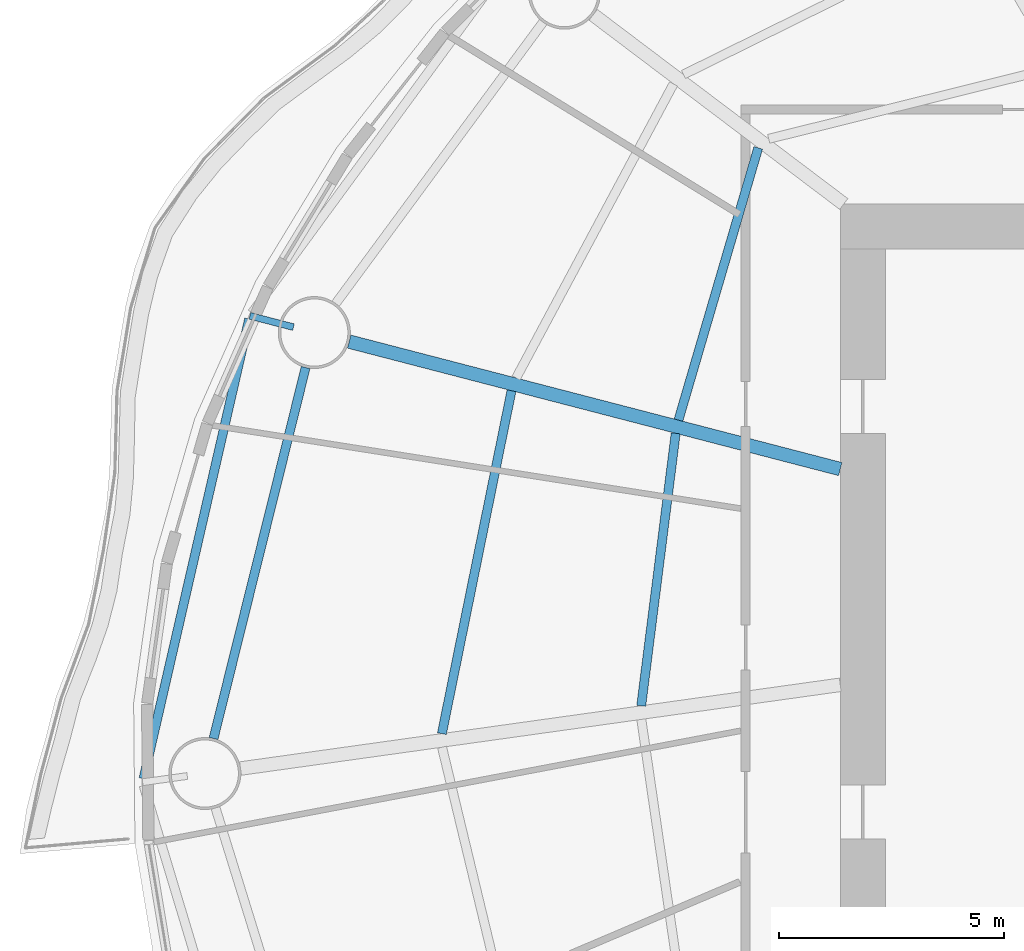
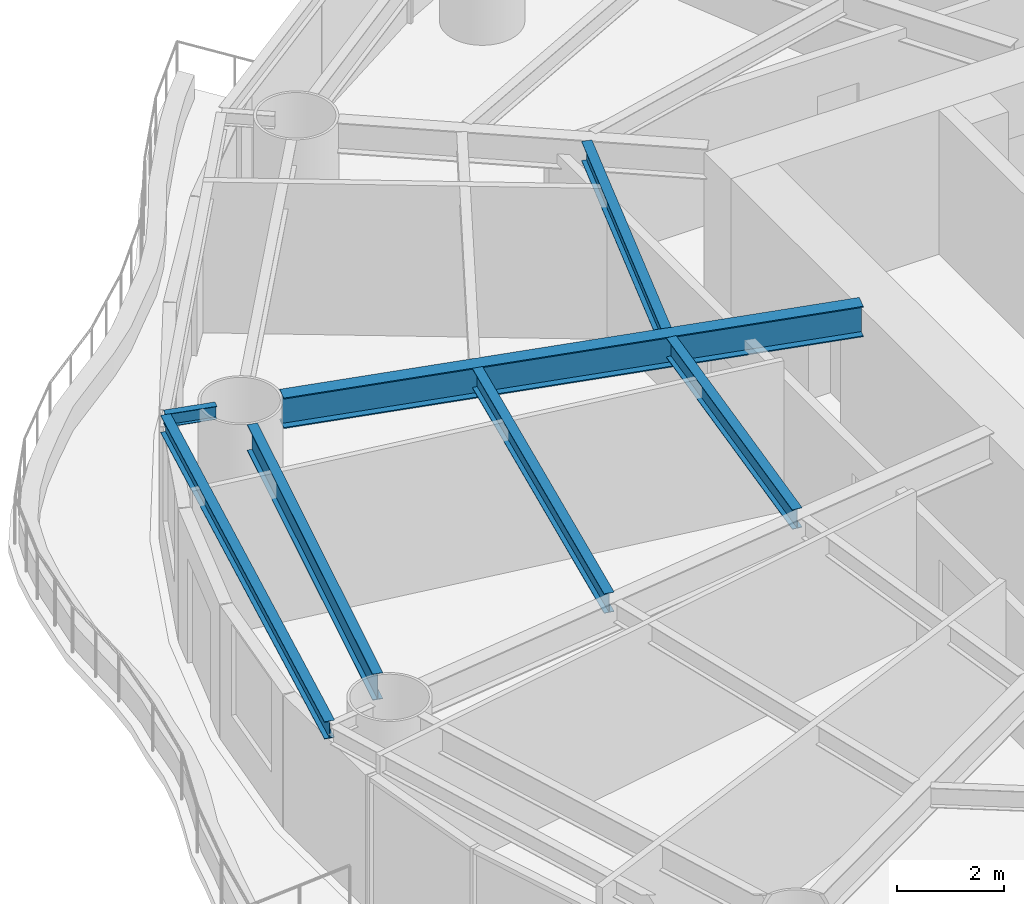
# One storey, part 3 of 14: 7 beams.
"""IFC4 building model written with IfcOpenShell, lengths in metres."""

from ifc_helpers import new_model, si_unit, direction, frame, origin, origin_2d, place, context, subcontext, project, spatial, i_section, extrude, material, material_profile, profile_set, type_object, element, save


model = new_model("IFC4")

# Units and contexts
model_context = context("Model", 3, precision=1e-05, world=origin(), true_north=direction((0.0, 1.0)))
body_context = subcontext(model_context, "Body", "Model", "MODEL_VIEW")
ifc_project = project(units=[si_unit("LENGTHUNIT", "METRE"), si_unit("AREAUNIT", "SQUARE_METRE"), si_unit("VOLUMEUNIT", "CUBIC_METRE"), si_unit("PLANEANGLEUNIT", "RADIAN"), si_unit("MASSUNIT", "GRAM", prefix="KILO")], contexts=[model_context])

# Site, building, storey
site_placement = place(None, origin())
site = spatial("IfcSite", under=ifc_project, at=site_placement, CompositionType="ELEMENT")
building_placement = place(site_placement, origin())
building = spatial("IfcBuilding", under=site, at=building_placement, Name="Vermilion Reach Broadcast Tower", CompositionType="ELEMENT")
storey_placement = place(building_placement, frame((0.0, 0.0, 124.60009765625)))
storey = spatial("IfcBuildingStorey", under=building, at=storey_placement, Name="L29", CompositionType="ELEMENT", Elevation=124.60009765625)

# Beams
ifc_material_1 = material(Name="Steel S355J2", Category="steel")
ifc_material_profile_1 = material_profile(ifc_material_1, i_section(OverallWidth=0.199951171875, OverallDepth=0.39990234375, WebThickness=0.008056640625, FlangeThickness=0.012939453125, at=origin_2d()), Name="S355J2 HN 400x200x8x13")
ifc_profile_set_1 = profile_set([ifc_material_profile_1], Name="Steel S355J2")
beam_type_1 = type_object("IfcBeamType", Name="EB2 HN 400x200x8x13", PredefinedType="BEAM", material=ifc_profile_set_1)
beam_1_placement = place(storey_placement, frame((-31.12646484375, 6.444091796875, 3.25), z_axis=(-0.223975624615, -0.974594746332, 0.0), x_axis=(0.974594746332, -0.223975624615, 0.0)))
element("IfcBeam", 1, at=beam_1_placement, inside=storey, type_object=beam_type_1, Name="Edge beam EB2-07", PredefinedType="BEAM", context=body_context, shape_type="SweptSolid", body=[
    extrude(i_section(OverallWidth=0.199951171875, OverallDepth=0.39990234375, WebThickness=0.008056640625, FlangeThickness=0.012939453125, at=origin_2d()), origin(), (0.0, 0.0, 1.0), 10.470947265625),
])
ifc_material_2 = material(Name="Steel S355J2", Category="steel")
ifc_material_profile_2 = material_profile(ifc_material_2, i_section(OverallWidth=0.300048828125, OverallDepth=0.699951171875, WebThickness=0.012939453125, FlangeThickness=0.02392578125, at=origin_2d()), Name="S355J2 HN 700x300x13x24")
ifc_profile_set_2 = profile_set([ifc_material_profile_2], Name="Steel S355J2")
beam_type_2 = type_object("IfcBeamType", Name="G2 HN 700x300x13x24", PredefinedType="BEAM", material=ifc_profile_set_2)
beam_2_placement = place(storey_placement, frame((-18.0, 3.114501953125, 3.099853515625), z_axis=(-0.967926079816, 0.2512351568, 0.0), x_axis=(-0.2512351568, -0.967926079816, 0.0)))
element("IfcBeam", 2, at=beam_2_placement, inside=storey, type_object=beam_type_2, Name="Girder G2-07", PredefinedType="BEAM", context=body_context, shape_type="SweptSolid", body=[
    extrude(i_section(OverallWidth=0.300048828125, OverallDepth=0.699951171875, WebThickness=0.012939453125, FlangeThickness=0.02392578125, at=origin_2d()), origin(), (0.0, 0.0, 1.0), 11.265625),
])
ifc_material_3 = material(Name="Steel S355J2", Category="steel")
ifc_material_profile_3 = material_profile(ifc_material_3, i_section(OverallWidth=0.14990234375, OverallDepth=0.300048828125, WebThickness=0.006591796875, FlangeThickness=0.009033203125, at=origin_2d()), Name="S355J2 HN 300x150x6.5x9")
ifc_profile_set_3 = profile_set([ifc_material_profile_3], Name="Steel S355J2")
beam_type_3 = type_object("IfcBeamType", Name="GS2 HN 300x150x6.5x9", PredefinedType="BEAM", material=ifc_profile_set_3)
beam_3_placement = place(storey_placement, frame((-30.1416015625, 6.265869140625, 3.2998046875), z_axis=(-0.967935368459, 0.251199368006, 0.0), x_axis=(-0.251199368006, -0.967935368459, 0.0)))
element("IfcBeam", 3, at=beam_3_placement, inside=storey, type_object=beam_type_3, Name="Cantilever stub GS2-07", PredefinedType="BEAM", context=body_context, shape_type="SweptSolid", body=[
    extrude(i_section(OverallWidth=0.14990234375, OverallDepth=0.300048828125, WebThickness=0.006591796875, FlangeThickness=0.009033203125, at=origin_2d()), origin(), (0.0, 0.0, 1.0), 1.0),
])
ifc_material_4 = material(Name="Steel S355J2", Category="steel")
ifc_material_profile_4 = material_profile(ifc_material_4, i_section(OverallWidth=0.199951171875, OverallDepth=0.60009765625, WebThickness=0.010986328125, FlangeThickness=0.01708984375, at=origin_2d()), Name="S355J2 HN 600x200x11x17")
ifc_profile_set_4 = profile_set([ifc_material_profile_4], Name="Steel S355J2")
beam_type_4 = type_object("IfcBeamType", Name="RB2 HN 600x200x11x17", PredefinedType="BEAM", material=ifc_profile_set_4)
beam_4_placement = place(storey_placement, frame((-29.871337890625, 5.369384765625, 3.14990234375), z_axis=(-0.240863809798, -0.970558924089, 0.0), x_axis=(0.970558924089, -0.240863809798, 0.0)))
element("IfcBeam", 4, at=beam_4_placement, inside=storey, type_object=beam_type_4, Name="Ring beam RB2-07", PredefinedType="BEAM", context=body_context, shape_type="SweptSolid", body=[
    extrude(i_section(OverallWidth=0.199951171875, OverallDepth=0.60009765625, WebThickness=0.010986328125, FlangeThickness=0.01708984375, at=origin_2d()), origin(), (0.0, 0.0, 1.0), 8.489013671875),
])
ifc_material_5 = material(Name="Steel S355J2", Category="steel")
ifc_material_profile_5 = material_profile(ifc_material_5, i_section(OverallWidth=0.199951171875, OverallDepth=0.449951171875, WebThickness=0.009033203125, FlangeThickness=0.013916015625, at=origin_2d()), Name="S355J2 HN 450x200x9x14")
ifc_profile_set_5 = profile_set([ifc_material_profile_5], Name="Steel S355J2")
beam_type_5 = type_object("IfcBeamType", Name="SB2 HN 450x200x9x14", PredefinedType="BEAM", material=ifc_profile_set_5)
beam_5_placement = place(storey_placement, frame((-19.821533203125, 10.246337890625, 3.224853515625), z_axis=(-0.281175657723, -0.959656318431, 0.0), x_axis=(0.959656318431, -0.281175657723, 0.0)))
element("IfcBeam", 5, at=beam_5_placement, inside=storey, type_object=beam_type_5, Name="Secondary beam SB2-06-1", PredefinedType="BEAM", context=body_context, shape_type="SweptSolid", body=[
    extrude(i_section(OverallWidth=0.199951171875, OverallDepth=0.449951171875, WebThickness=0.009033203125, FlangeThickness=0.013916015625, at=origin_2d()), origin(), (0.0, 0.0, 1.0), 6.298583984375),
])
beam_6_placement = place(storey_placement, frame((-21.65380859375, 3.907958984375, 3.224853515625), z_axis=(-0.125557241128, -0.992086376885, 0.0), x_axis=(0.992086376885, -0.125557241128, 0.0)))
element("IfcBeam", 6, at=beam_6_placement, inside=storey, type_object=beam_type_5, Name="Secondary beam SB2-07-1", PredefinedType="BEAM", context=body_context, shape_type="SweptSolid", body=[
    extrude(i_section(OverallWidth=0.199951171875, OverallDepth=0.449951171875, WebThickness=0.009033203125, FlangeThickness=0.013916015625, at=origin_2d()), origin(), (0.0, 0.0, 1.0), 6.097900390625),
])
beam_7_placement = place(storey_placement, frame((-25.29931640625, 4.854248046875, 3.224853515625), z_axis=(-0.19906416804, -0.979986457561, 0.0), x_axis=(0.979986457561, -0.19906416804, 0.0)))
element("IfcBeam", 7, at=beam_7_placement, inside=storey, type_object=beam_type_5, Name="Secondary beam SB2-07-2", PredefinedType="BEAM", context=body_context, shape_type="SweptSolid", body=[
    extrude(i_section(OverallWidth=0.199951171875, OverallDepth=0.449951171875, WebThickness=0.009033203125, FlangeThickness=0.013916015625, at=origin_2d()), origin(), (0.0, 0.0, 1.0), 7.76953125),
])

save(model, "model.ifc")
